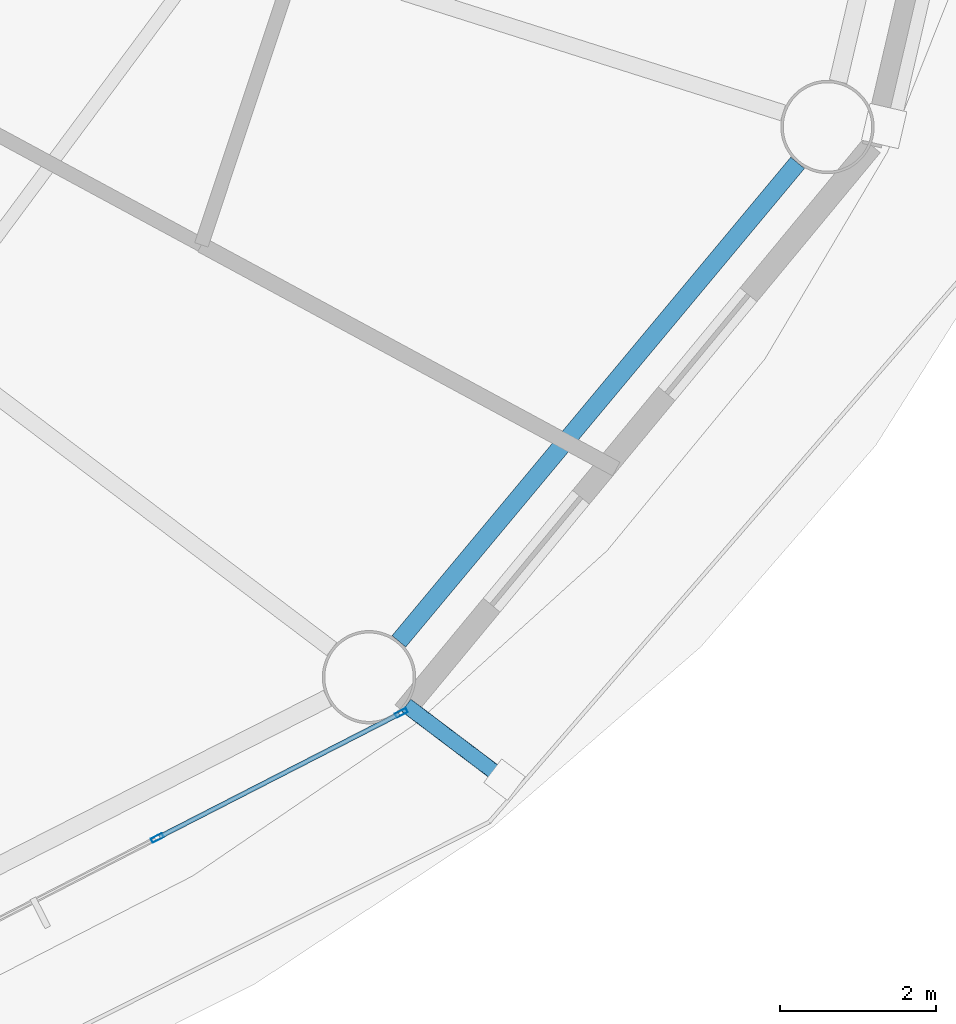
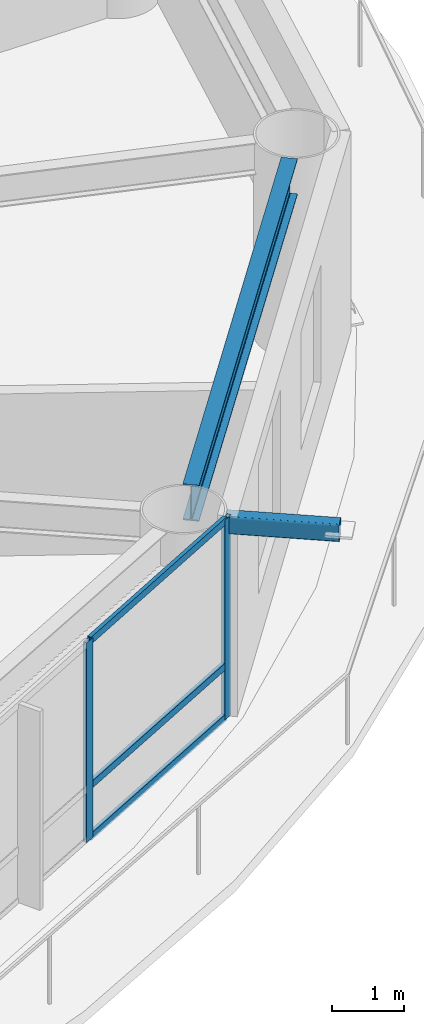
# One storey, part 6 of 24: 6 members, 1 beam, 1 element without a shape of its own.
"""IFC4 building model written with IfcOpenShell, lengths in metres."""

from ifc_helpers import new_model, si_unit, direction, frame, origin, origin_2d, place, context, subcontext, project, spatial, hollow_rectangle, i_section, extrude, material, layer, layer_set, material_profile, profile_set, type_object, element, aggregate, save


model = new_model("IFC4")

# Units and contexts
model_context = context("Model", 3, precision=1e-05, world=origin(), true_north=direction((0.0, 1.0)))
body_context = subcontext(model_context, "Body", "Model", "MODEL_VIEW")
ifc_project = project(units=[si_unit("LENGTHUNIT", "METRE"), si_unit("AREAUNIT", "SQUARE_METRE"), si_unit("VOLUMEUNIT", "CUBIC_METRE"), si_unit("PLANEANGLEUNIT", "RADIAN"), si_unit("MASSUNIT", "GRAM", prefix="KILO")], contexts=[model_context])

# Site, building, storey
site_placement = place(None, origin())
site = spatial("IfcSite", under=ifc_project, at=site_placement, CompositionType="ELEMENT")
building_placement = place(site_placement, origin())
building = spatial("IfcBuilding", under=site, at=building_placement, Name="Sarneth Arch Tower", CompositionType="ELEMENT")
storey_placement = place(building_placement, frame((0.0, 0.0, 105.60009765625)))
storey = spatial("IfcBuildingStorey", under=building, at=storey_placement, Name="L26", CompositionType="ELEMENT", Elevation=105.60009765625)

# Beam
ifc_material_1 = material(Name="Steel S355", Category="steel")
ifc_material_profile_1 = material_profile(ifc_material_1, i_section(OverallWidth=0.22900390625, OverallDepth=0.612060546875, WebThickness=0.011962890625, FlangeThickness=0.01953125, FilletRadius=0.01904296875, at=origin_2d()), Name="W610x125")
ifc_profile_set_1 = profile_set([ifc_material_profile_1], Name="Steel S355")
beam_type = type_object("IfcBeamType", Name="BM-SPAN-610C", PredefinedType="SPANDREL", material=ifc_profile_set_1)
beam_placement = place(storey_placement, frame((68.78173828125, 27.0458984375, 3.073974609375), z_axis=(0.640163403463, 0.768238775946, 0.0), x_axis=(-0.768238775946, 0.640163403463, 0.0)))
element("IfcBeam", 1, at=beam_placement, inside=storey, type_object=beam_type, Name="L26 Perimeter spandrel beam 15", PredefinedType="SPANDREL", context=body_context, shape_type="SweptSolid", body=[
    extrude(i_section(OverallWidth=0.22900390625, OverallDepth=0.612060546875, WebThickness=0.011962890625, FlangeThickness=0.01953125, FilletRadius=0.01904296875, at=origin_2d()), origin(), (0.0, 0.0, 1.0), 8.006103515625),
])

# Curtain wall, members
ifc_material_2 = material(Name="Anodised aluminium Type AA25 and solar-control low-e laminated IGU", Category="aluminium")
ifc_layer = layer(ifc_material_2, 0.159912109375)
ifc_layer_set = layer_set([ifc_layer], Name="Anodised aluminium Type AA25 and solar-control low-e laminated IGU")
curtain_wall_type = type_object("IfcCurtainWallType", Name="CW-HOTEL-MID", PredefinedType="NOTDEFINED", material=ifc_layer_set)
curtain_wall_placement = place(storey_placement, origin())
curtain_wall = element("IfcCurtainWall", 2, at=curtain_wall_placement, inside=storey, type_object=curtain_wall_type, Name="L26 Unitised curtain wall facet 14", PredefinedType="NOTDEFINED")
ifc_material_3 = material(Name="Anodised Aluminium 6063-T6", Category="aluminium")
ifc_material_profile_2 = material_profile(ifc_material_3, hollow_rectangle(XDim=0.06005859375, YDim=0.159912109375, WallThickness=0.00390625, at=origin_2d()), Name="AL-MULL-160x60x4")
ifc_profile_set_2 = profile_set([ifc_material_profile_2], Name="Anodised Aluminium 6063-T6")
member_type_1 = type_object("IfcMemberType", Name="CW-MULLION", PredefinedType="MULLION", material=ifc_profile_set_2)
member_1_placement = place(storey_placement, frame((65.677001953125, 24.518798828125, 0.0), z_axis=(0.0, 0.0, 1.0), x_axis=(-0.456031365356, 0.889963703649, 0.0)))
member_1 = element("IfcMember", 3, at=member_1_placement, type_object=member_type_1, Name="CW-SYS-4 mullion 3", PredefinedType="MULLION", context=body_context, shape_type="SweptSolid", body=[
    extrude(hollow_rectangle(XDim=0.06005859375, YDim=0.159912109375, WallThickness=0.00390625, at=origin_2d()), origin(), (0.0, 0.0, 1.0), 3.3798828125),
])
member_2_placement = place(storey_placement, frame((68.813232421875, 26.1259765625, 0.0), z_axis=(0.0, 0.0, 1.0), x_axis=(-0.456031365356, 0.889963703649, 0.0)))
member_2 = element("IfcMember", 4, at=member_2_placement, type_object=member_type_1, Name="CW-SYS-4 mullion 4", PredefinedType="MULLION", context=body_context, shape_type="SweptSolid", body=[
    extrude(hollow_rectangle(XDim=0.06005859375, YDim=0.159912109375, WallThickness=0.00390625, at=origin_2d()), origin(), (0.0, 0.0, 1.0), 3.3798828125),
])
ifc_material_4 = material(Name="Anodised Aluminium 6063-T6", Category="aluminium")
ifc_material_profile_3 = material_profile(ifc_material_4, hollow_rectangle(XDim=0.06005859375, YDim=0.1201171875, WallThickness=0.00390625, at=origin_2d()), Name="AL-TRAN-120x60x4")
ifc_profile_set_3 = profile_set([ifc_material_profile_3], Name="Anodised Aluminium 6063-T6")
member_type_2 = type_object("IfcMemberType", Name="CW-TRANSOM", PredefinedType="USERDEFINED", material=ifc_profile_set_3)
member_3_placement = place(storey_placement, frame((65.703857421875, 24.532470703125, 0.02978515625), z_axis=(0.889942905184, 0.456071952122, 0.0), x_axis=(-0.456071952122, 0.889942905184, 0.0)))
member_3 = element("IfcMember", 5, at=member_3_placement, type_object=member_type_2, Name="CW-SYS-4 transom 3.1", ObjectType="TRANSOM", PredefinedType="USERDEFINED", context=body_context, shape_type="SweptSolid", body=[
    extrude(hollow_rectangle(XDim=0.06005859375, YDim=0.1201171875, WallThickness=0.00390625, at=origin_2d()), origin(), (0.0, 0.0, 1.0), 3.464111328125),
])
member_4_placement = place(storey_placement, frame((65.703857421875, 24.532470703125, 0.89990234375), z_axis=(0.889942905184, 0.456071952122, 0.0), x_axis=(-0.456071952122, 0.889942905184, 0.0)))
member_4 = element("IfcMember", 6, at=member_4_placement, type_object=member_type_2, Name="CW-SYS-4 transom 3.2", ObjectType="TRANSOM", PredefinedType="USERDEFINED", context=body_context, shape_type="SweptSolid", body=[
    extrude(hollow_rectangle(XDim=0.06005859375, YDim=0.1201171875, WallThickness=0.00390625, at=origin_2d()), origin(), (0.0, 0.0, 1.0), 3.464111328125),
])
member_5_placement = place(storey_placement, frame((65.703857421875, 24.532470703125, 3.349853515625), z_axis=(0.889942905184, 0.456071952122, 0.0), x_axis=(-0.456071952122, 0.889942905184, 0.0)))
member_5 = element("IfcMember", 7, at=member_5_placement, type_object=member_type_2, Name="CW-SYS-4 transom 3.3", ObjectType="TRANSOM", PredefinedType="USERDEFINED", context=body_context, shape_type="SweptSolid", body=[
    extrude(hollow_rectangle(XDim=0.06005859375, YDim=0.1201171875, WallThickness=0.00390625, at=origin_2d()), origin(), (0.0, 0.0, 1.0), 3.464111328125),
])
aggregate(curtain_wall, [member_1, member_2, member_3, member_4, member_5])

# Member
ifc_material_5 = material(Name="Steel S355", Category="steel")
ifc_material_profile_4 = material_profile(ifc_material_5, hollow_rectangle(XDim=0.199951171875, YDim=0.300048828125, WallThickness=0.012451171875, InnerFilletRadius=0.018798828125, OuterFilletRadius=0.03125, at=origin_2d()), Name="RHS300x200x12.5")
ifc_profile_set_4 = profile_set([ifc_material_profile_4], Name="Steel S355")
member_type_3 = type_object("IfcMemberType", Name="MEM-CANT-STRUT", PredefinedType="STRUT", material=ifc_profile_set_4)
member_6_placement = place(storey_placement, frame((68.876220703125, 26.223388671875, 3.219970703125), z_axis=(0.797831083939, -0.602881050873, 0.0), x_axis=(0.602881050873, 0.797831083939, 0.0)))
element("IfcMember", 8, at=member_6_placement, inside=storey, type_object=member_type_3, Name="L26 Balcony cantilever bracket 15", PredefinedType="STRUT", context=body_context, shape_type="SweptSolid", body=[
    extrude(hollow_rectangle(XDim=0.199951171875, YDim=0.300048828125, WallThickness=0.012451171875, InnerFilletRadius=0.018798828125, OuterFilletRadius=0.03125, at=origin_2d()), origin(), (0.0, 0.0, 1.0), 1.584228515625),
])

save(model, "model.ifc")
